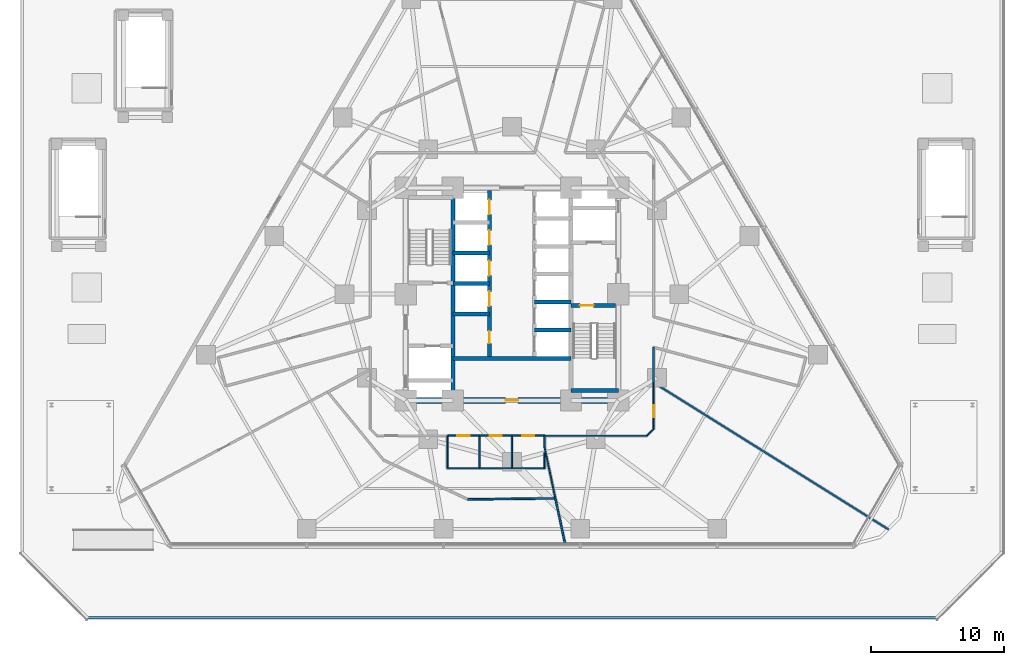
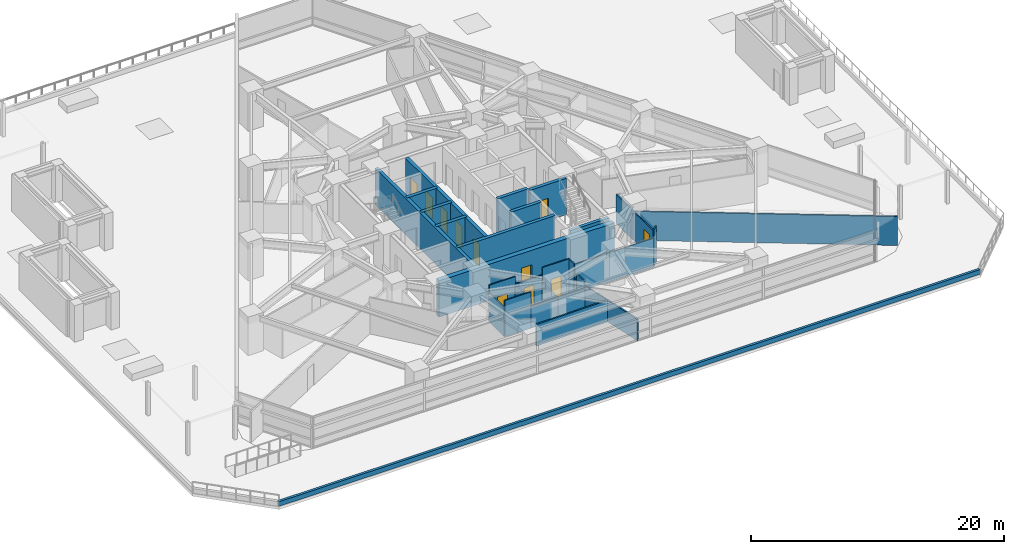
# One storey, part 16 of 23: 31 walls, 11 doors, 11 openings.
"""IFC4 building model written with IfcOpenShell, lengths in metres."""

import ifcopenshell
import ifcopenshell.guid

model = None  # the IFC model being written
_history = None  # IfcOwnerHistory: only IFC2X3 demands one
_inside = {}  # id of a spatial element -> (the spatial element, [elements in it])
_under = {}  # id of a project, library or spatial element -> (it, [spatial elements below it])
_declared = {}  # id of a project -> (the project, [libraries it declares])
_typed = {}  # id of a type object -> (the type object, [elements of that type])
_made_of = {}  # id of a material, layer set ... -> (it, [elements and type objects made of it])


def new_model(schema):
    """Start an empty IFC model of exactly this schema.

    Asked for "IFC4X3", IfcOpenShell would pick the latest addendum, in which some entities
    have other attributes; the version numbers below select the first issue.
    IFC2X3 requires an IfcOwnerHistory on every rooted entity: one is made here for all.
    """
    global model, _history
    if schema == "IFC4X3":
        model = ifcopenshell.file(schema_version=(4, 3, 0, 0))
    else:
        model = ifcopenshell.file(schema=schema)
    _inside.clear()
    _under.clear()
    _declared.clear()
    _typed.clear()
    _made_of.clear()
    _history = None
    if model.schema == "IFC2X3":
        org = make("IfcOrganization", Name="unknown")
        user = make(
            "IfcPersonAndOrganization",
            ThePerson=make("IfcPerson", FamilyName="unknown"),
            TheOrganization=org,
        )
        app = make(
            "IfcApplication",
            ApplicationDeveloper=org,
            Version="unknown",
            ApplicationFullName="unknown",
            ApplicationIdentifier="unknown",
        )
        _history = make(
            "IfcOwnerHistory",
            OwningUser=user,
            OwningApplication=app,
            ChangeAction="ADDED",
            CreationDate=0,
        )
    return model


def make(cls, **values):
    """One entity of the class cls with the attributes given. An attribute that is None is left unset."""
    return model.create_entity(
        cls, **{name: value for name, value in values.items() if value is not None}
    )


def rooted(cls, **values):
    """An entity with a GlobalId (a new one), such as an element, a storey or a relation."""
    return make(cls, GlobalId=ifcopenshell.guid.new(), OwnerHistory=_history, **values)


def si_unit(unit_type, name, prefix=None):
    """IfcSIUnit, for example si_unit("LENGTHUNIT", "METRE", prefix="MILLI")."""
    return make("IfcSIUnit", UnitType=unit_type, Prefix=prefix, Name=name)


def assignment(units):
    """IfcUnitAssignment: the units of a project."""
    return None if units is None else make("IfcUnitAssignment", Units=units)


def point(xyz):
    """IfcCartesianPoint."""
    return None if xyz is None else make("IfcCartesianPoint", Coordinates=xyz)


def direction(xyz):
    """IfcDirection."""
    return None if xyz is None else make("IfcDirection", DirectionRatios=xyz)


def frame(location, z_axis=None, x_axis=None):
    """IfcAxis2Placement3D, a coordinate frame: its origin and axes. An axis left out is left unset."""
    return make(
        "IfcAxis2Placement3D",
        Location=point(location),
        Axis=direction(z_axis),
        RefDirection=direction(x_axis),
    )


def frame_2d(location, x_axis=None):
    """IfcAxis2Placement2D, a coordinate frame in the plane: its origin and x axis."""
    return make(
        "IfcAxis2Placement2D", Location=point(location), RefDirection=direction(x_axis)
    )


def origin():
    """The frame at (0, 0, 0) with its axes left unset."""
    return frame((0.0, 0.0, 0.0))


def place(relative_to, where):
    """IfcLocalPlacement: puts the frame where relative to a parent placement (None: the world)."""
    return make(
        "IfcLocalPlacement", PlacementRelTo=relative_to, RelativePlacement=where
    )


def context(
    kind, dimensions, precision=None, world=None, true_north=None, identifier=None
):
    """IfcGeometricRepresentationContext, for example the 3D "Model" context."""
    return make(
        "IfcGeometricRepresentationContext",
        ContextIdentifier=identifier,
        ContextType=kind,
        CoordinateSpaceDimension=dimensions,
        Precision=precision,
        WorldCoordinateSystem=world,
        TrueNorth=true_north,
    )


def subcontext(parent, identifier, kind, view, scale=None):
    """IfcGeometricRepresentationSubContext, for example "Body" below "Model"."""
    return make(
        "IfcGeometricRepresentationSubContext",
        ContextIdentifier=identifier,
        ContextType=kind,
        ParentContext=parent,
        TargetScale=scale,
        TargetView=view,
    )


def project(units=None, contexts=None):
    """IfcProject with its units and contexts."""
    return rooted(
        "IfcProject",
        Name="project",
        RepresentationContexts=contexts,
        UnitsInContext=assignment(units),
    )


def spatial(cls, under=None, at=None, **own):
    """A site, building, storey or space (cls), placed at a placement, below another one or the project."""
    s = rooted(cls, ObjectPlacement=at, **own)
    if under is not None:
        _under.setdefault(under.id(), (under, []))[1].append(s)
    return s


def profile(cls, at=None, kind="AREA", **sizes):
    """A parametric profile (cls). Its sizes go by their IFC names, for example OverallWidth=200.0."""
    return make(cls, ProfileType=kind, Position=at, **sizes)


def rectangle(**sizes):
    """IfcRectangleProfileDef."""
    return profile("IfcRectangleProfileDef", **sizes)


def extrude(swept, where, along, depth):
    """IfcExtrudedAreaSolid: the profile swept, set in the frame where, extruded along a direction by depth."""
    return make(
        "IfcExtrudedAreaSolid",
        SweptArea=swept,
        Position=where,
        ExtrudedDirection=direction(along),
        Depth=depth,
    )


def shape(context_of_items, identifier, shape_type, items):
    """IfcShapeRepresentation: the items that make up one representation, for example the "Body"."""
    return make(
        "IfcShapeRepresentation",
        ContextOfItems=context_of_items,
        RepresentationIdentifier=identifier,
        RepresentationType=shape_type,
        Items=items,
    )


def material(Name=None, Category=None):
    """IfcMaterial."""
    return make("IfcMaterial", Name=Name, Category=Category)


def layer(
    of_material, thickness, ventilated=None, Name=None, Category=None, Priority=None
):
    """IfcMaterialLayer: one layer of a wall or slab, of a material (None: an air gap)."""
    return make(
        "IfcMaterialLayer",
        Material=of_material,
        LayerThickness=thickness,
        IsVentilated=ventilated,
        Name=Name,
        Category=Category,
        Priority=Priority,
    )


def layer_set(layers, Name=None):
    """IfcMaterialLayerSet."""
    return make("IfcMaterialLayerSet", MaterialLayers=layers, LayerSetName=Name)


def made_of(thing, what):
    """Note that an element or type object is made of a material, layer set ...; save() writes the relation."""
    if what is not None:
        _made_of.setdefault(what.id(), (what, []))[1].append(thing)
    return thing


def type_object(cls, material=None, **own):
    """A type object (cls), such as IfcWallType, which elements share."""
    return made_of(rooted(cls, **own), material)


def element(
    cls,
    number,
    at=None,
    inside=None,
    cuts=None,
    type_object=None,
    material=None,
    context=None,
    identifier="Body",
    shape_type=None,
    held_by="IfcProductDefinitionShape",
    body=None,
    shapes=None,
    **own,
):
    """One element of the class cls, such as IfcWall. Its Tag is "e" and its number.

    at: its placement. inside: the storey or other place that contains it. cuts: it is an
    opening in that element (IfcRelVoidsElement). A single representation is given by context,
    identifier, shape_type and body (its items); several are given by shapes. held_by: the class
    of the entity that holds the representations. save() writes the other relations.
    """
    e = rooted(cls, Tag="e%d" % number, ObjectPlacement=at, **own)
    if body is not None:
        shapes = [shape(context, identifier, shape_type, body)]
    if shapes is not None:
        e.Representation = make(held_by, Representations=shapes)
    if inside is not None:
        _inside.setdefault(inside.id(), (inside, []))[1].append(e)
    if cuts is not None:
        rooted(
            "IfcRelVoidsElement", RelatingBuildingElement=cuts, RelatedOpeningElement=e
        )
    if type_object is not None:
        _typed.setdefault(type_object.id(), (type_object, []))[1].append(e)
    return made_of(e, material)


def fill(opening, filler):
    """IfcRelFillsElement: the door or window that sits in an opening."""
    return rooted(
        "IfcRelFillsElement",
        RelatingOpeningElement=opening,
        RelatedBuildingElement=filler,
    )


def aggregate(whole, parts):
    """IfcRelAggregates: a whole, such as a stair, and the parts it consists of."""
    return rooted("IfcRelAggregates", RelatingObject=whole, RelatedObjects=parts)


def save(model, path):
    """Write the relations noted so far, then the file.

    IfcRelAggregates (storeys below a building ...), IfcRelContainedInSpatialStructure (elements
    in a storey), IfcRelDefinesByType, IfcRelAssociatesMaterial and IfcRelDeclares: one each for
    every whole, place, type object, material and project.
    """
    for whole, parts in _under.values():
        aggregate(whole, parts)
    for where, things in _inside.values():
        rooted(
            "IfcRelContainedInSpatialStructure",
            RelatedElements=things,
            RelatingStructure=where,
        )
    for kind, things in _typed.values():
        rooted("IfcRelDefinesByType", RelatedObjects=things, RelatingType=kind)
    for what, things in _made_of.values():
        rooted("IfcRelAssociatesMaterial", RelatedObjects=things, RelatingMaterial=what)
    for by, libraries in _declared.values():
        rooted("IfcRelDeclares", RelatingContext=by, RelatedDefinitions=libraries)
    model.write(path)


model = new_model("IFC4")

# Units and contexts
model_context = context("Model", 3, precision=1e-05, world=origin(), true_north=direction((0.0, 1.0)))
body_context = subcontext(model_context, "Body", "Model", "MODEL_VIEW")
ifc_project = project(units=[si_unit("LENGTHUNIT", "METRE"), si_unit("AREAUNIT", "SQUARE_METRE"), si_unit("VOLUMEUNIT", "CUBIC_METRE"), si_unit("PLANEANGLEUNIT", "RADIAN"), si_unit("MASSUNIT", "GRAM", prefix="KILO")], contexts=[model_context])

# Site, building, storey
site_placement = place(None, origin())
site = spatial("IfcSite", under=ifc_project, at=site_placement, CompositionType="ELEMENT")
building_placement = place(site_placement, origin())
building = spatial("IfcBuilding", under=site, at=building_placement, Name="Terralouvre Media Tower", CompositionType="ELEMENT")
storey_placement = place(building_placement, frame((0.0, 0.0, 26.0)))
storey = spatial("IfcBuildingStorey", under=building, at=storey_placement, Name="L05", CompositionType="ELEMENT", Elevation=26.0)

# Wall
ifc_material_1 = material(Name="Concrete C50/60", Category="concrete")
ifc_layer_1 = layer(ifc_material_1, 0.300048828125, Name="Core Internal Shaft Wall CW-300")
ifc_layer_set_1 = layer_set([ifc_layer_1], Name="Concrete C50/60")
wall_type_1 = type_object("IfcWallType", Name="Core Internal Shaft Wall CW-300", PredefinedType="SHEAR", material=ifc_layer_set_1)
wall_1_placement = place(storey_placement, frame((-4.449951171875, -7.7900390625, 0.0), z_axis=(0.0, 0.0, 1.0), x_axis=(0.0, 1.0, 0.0)))
element("IfcWall", 1, at=wall_1_placement, inside=storey, type_object=wall_type_1, Name="L05 Core Shaft Wall SPW", PredefinedType="SHEAR", context=body_context, shape_type="SweptSolid", body=[
    extrude(rectangle(XDim=15.580078125, YDim=0.300048828125, at=frame_2d((7.7900390625, 0.0))), origin(), (0.0, 0.0, 1.0), 3.5),
])

# Wall, opening, door
wall_2_placement = place(storey_placement, frame((4.449951171875, -0.85009765625, 0.0), z_axis=(0.0, 0.0, 1.0), x_axis=(1.0, 0.0, 0.0)))
wall_2 = element("IfcWall", 2, at=wall_2_placement, inside=storey, type_object=wall_type_1, Name="L05 Core Shaft Wall ST2D", PredefinedType="SHEAR", context=body_context, shape_type="SweptSolid", body=[
    extrude(rectangle(XDim=3.340087890625, YDim=0.300048828125, at=frame_2d((1.669921875, 0.0))), origin(), (0.0, 0.0, 1.0), 3.5),
])
opening_1_placement = place(wall_2_placement, frame((0.64990234375, 0.0, 0.0)))
opening_1 = element("IfcOpeningElement", 3, at=opening_1_placement, cuts=wall_2, Name="Opening FD-01-105X215", PredefinedType="OPENING", context=body_context, shape_type="SweptSolid", body=[
    extrude(rectangle(XDim=1.050048828125, YDim=2.14990234375, at=frame_2d((0.52490234375, 1.074951171875))), frame((0.0, 0.159912109375, 0.0), z_axis=(0.0, -1.0, 0.0), x_axis=(1.0, 0.0, 0.0)), (0.0, 0.0, 1.0), 0.320068359375),
])
ifc_material_2 = material(Name="Galvanised steel fire-resisting leaf", Category="steel")
door_type_1 = type_object("IfcDoorType", Name="Stair and Firefighting Lobby Fire Door FD-01 (1050x2150)", OperationType="NOTDEFINED", PredefinedType="DOOR", material=ifc_material_2)
door_1_placement = place(opening_1_placement, origin())
door_1 = element("IfcDoor", 4, at=door_1_placement, inside=storey, type_object=door_type_1, Name="L05 ST-02 Exit Stair Door", OperationType="SINGLE_SWING_RIGHT", OverallHeight=2.14990234375, OverallWidth=1.050048828125, PredefinedType="DOOR", context=body_context, shape_type="SweptSolid", body=[
    extrude(rectangle(XDim=1.050048828125, YDim=2.14990234375, at=frame_2d((0.52490234375, 1.074951171875))), frame((0.0, 0.02490234375, 0.0), z_axis=(0.0, -1.0, 0.0), x_axis=(1.0, 0.0, 0.0)), (0.0, 0.0, 1.0), 0.050048828125),
])
fill(opening_1, door_1)

# Walls
wall_3_placement = place(storey_placement, frame((4.449951171875, -7.260009765625, 0.0), z_axis=(0.0, 0.0, 1.0), x_axis=(1.0, 0.0, 0.0)))
element("IfcWall", 5, at=wall_3_placement, inside=storey, type_object=wall_type_1, Name="L05 Core Shaft Wall ST2F", PredefinedType="SHEAR", context=body_context, shape_type="SweptSolid", body=[
    extrude(rectangle(XDim=3.550048828125, YDim=0.300048828125, at=frame_2d((1.77490234375, 0.0))), origin(), (0.0, 0.0, 1.0), 3.5),
])
wall_4_placement = place(storey_placement, frame((-4.449951171875, -4.85009765625, 0.0), z_axis=(0.0, 0.0, 1.0), x_axis=(1.0, 0.0, 0.0)))
element("IfcWall", 6, at=wall_4_placement, inside=storey, type_object=wall_type_1, Name="L05 Core Shaft Wall CSBN", PredefinedType="SHEAR", context=body_context, shape_type="SweptSolid", body=[
    extrude(rectangle(XDim=8.89990234375, YDim=0.300048828125, at=frame_2d((4.449951171875, 0.0))), origin(), (0.0, 0.0, 1.0), 3.5),
])

# Wall, openings, doors
wall_5_placement = place(storey_placement, frame((-1.679931640625, -4.85009765625, 0.0), z_axis=(0.0, 0.0, 1.0), x_axis=(0.0, 1.0, 0.0)))
wall_5 = element("IfcWall", 7, at=wall_5_placement, inside=storey, type_object=wall_type_1, Name="L05 Core Shaft Wall LBW", PredefinedType="SHEAR", context=body_context, shape_type="SweptSolid", body=[
    extrude(rectangle(XDim=12.64013671875, YDim=0.300048828125, at=frame_2d((6.320068359375, 0.0))), origin(), (0.0, 0.0, 1.0), 3.5),
])
opening_2_placement = place(wall_5_placement, frame((3.949951171875, 0.0, 0.0)))
opening_2 = element("IfcOpeningElement", 8, at=opening_2_placement, cuts=wall_5, Name="Opening LD-PL", PredefinedType="OPENING", context=body_context, shape_type="SweptSolid", body=[
    extrude(rectangle(XDim=1.10009765625, YDim=2.10009765625, at=frame_2d((0.550048828125, 1.050048828125))), frame((0.0, 0.159912109375, 0.0), z_axis=(0.0, -1.0, 0.0), x_axis=(1.0, 0.0, 0.0)), (0.0, 0.0, 1.0), 0.320068359375),
])
opening_3_placement = place(wall_5_placement, frame((6.25, 0.0, 0.0)))
opening_3 = element("IfcOpeningElement", 9, at=opening_3_placement, cuts=wall_5, Name="Opening LD-PL", PredefinedType="OPENING", context=body_context, shape_type="SweptSolid", body=[
    extrude(rectangle(XDim=1.10009765625, YDim=2.10009765625, at=frame_2d((0.550048828125, 1.050048828125))), frame((0.0, 0.159912109375, 0.0), z_axis=(0.0, -1.0, 0.0), x_axis=(1.0, 0.0, 0.0)), (0.0, 0.0, 1.0), 0.320068359375),
])
opening_4_placement = place(wall_5_placement, frame((8.550048828125, 0.0, 0.0)))
opening_4 = element("IfcOpeningElement", 10, at=opening_4_placement, cuts=wall_5, Name="Opening LD-PL", PredefinedType="OPENING", context=body_context, shape_type="SweptSolid", body=[
    extrude(rectangle(XDim=1.10009765625, YDim=2.10009765625, at=frame_2d((0.550048828125, 1.050048828125))), frame((0.0, 0.159912109375, 0.0), z_axis=(0.0, -1.0, 0.0), x_axis=(1.0, 0.0, 0.0)), (0.0, 0.0, 1.0), 0.320068359375),
])
opening_5_placement = place(wall_5_placement, frame((10.85009765625, 0.0, 0.0)))
opening_5 = element("IfcOpeningElement", 11, at=opening_5_placement, cuts=wall_5, Name="Opening LD-PL", PredefinedType="OPENING", context=body_context, shape_type="SweptSolid", body=[
    extrude(rectangle(XDim=1.10009765625, YDim=2.10009765625, at=frame_2d((0.550048828125, 1.050048828125))), frame((0.0, 0.159912109375, 0.0), z_axis=(0.0, -1.0, 0.0), x_axis=(1.0, 0.0, 0.0)), (0.0, 0.0, 1.0), 0.320068359375),
])
opening_6_placement = place(wall_5_placement, frame((1.14990234375, 0.0, 0.0)))
opening_6 = element("IfcOpeningElement", 12, at=opening_6_placement, cuts=wall_5, Name="Opening FD-05-92X210", PredefinedType="OPENING", context=body_context, shape_type="SweptSolid", body=[
    extrude(rectangle(XDim=0.919921875, YDim=2.10009765625, at=frame_2d((0.4599609375, 1.050048828125))), frame((0.0, 0.159912109375, 0.0), z_axis=(0.0, -1.0, 0.0), x_axis=(1.0, 0.0, 0.0)), (0.0, 0.0, 1.0), 0.320068359375),
])
ifc_material_3 = material(Name="Galvanised steel fire-resisting leaf", Category="steel")
door_type_2 = type_object("IfcDoorType", Name="Core Accessible Closet Fire Door FD-05 (920x2100)", OperationType="NOTDEFINED", PredefinedType="DOOR", material=ifc_material_3)
door_2_placement = place(opening_6_placement, origin())
door_2 = element("IfcDoor", 13, at=door_2_placement, inside=storey, type_object=door_type_2, Name="L05 Core Cleaners Closet Door", OperationType="SINGLE_SWING_LEFT", OverallHeight=2.10009765625, OverallWidth=0.919921875, PredefinedType="DOOR", context=body_context, shape_type="SweptSolid", body=[
    extrude(rectangle(XDim=0.919921875, YDim=2.10009765625, at=frame_2d((0.4599609375, 1.050048828125))), frame((0.0, 0.02490234375, 0.0), z_axis=(0.0, -1.0, 0.0), x_axis=(1.0, 0.0, 0.0)), (0.0, 0.0, 1.0), 0.050048828125),
])
fill(opening_6, door_2)
ifc_material_4 = material(Name="Stainless steel 316 handrail and balustrade", Category="steel")
door_type_3 = type_object("IfcDoorType", Name="Passenger Lift Sliding Landing Door LD-PL", OperationType="SLIDING_TO_LEFT", PredefinedType="DOOR", material=ifc_material_4)
door_3_placement = place(opening_2_placement, origin())
door_3 = element("IfcDoor", 14, at=door_3_placement, inside=storey, type_object=door_type_3, Name="L05 Low-Rise Lift PL-L1 Landing Door", OperationType="SLIDING_TO_LEFT", OverallHeight=2.10009765625, OverallWidth=1.10009765625, PredefinedType="DOOR", context=body_context, shape_type="SweptSolid", body=[
    extrude(rectangle(XDim=1.10009765625, YDim=2.10009765625, at=frame_2d((0.550048828125, 1.050048828125))), frame((0.0, 0.02490234375, 0.0), z_axis=(0.0, -1.0, 0.0), x_axis=(1.0, 0.0, 0.0)), (0.0, 0.0, 1.0), 0.050048828125),
])
fill(opening_2, door_3)
door_4_placement = place(opening_3_placement, origin())
door_4 = element("IfcDoor", 15, at=door_4_placement, inside=storey, type_object=door_type_3, Name="L05 Low-Rise Lift PL-L2 Landing Door", OperationType="SLIDING_TO_LEFT", OverallHeight=2.10009765625, OverallWidth=1.10009765625, PredefinedType="DOOR", context=body_context, shape_type="SweptSolid", body=[
    extrude(rectangle(XDim=1.10009765625, YDim=2.10009765625, at=frame_2d((0.550048828125, 1.050048828125))), frame((0.0, 0.02490234375, 0.0), z_axis=(0.0, -1.0, 0.0), x_axis=(1.0, 0.0, 0.0)), (0.0, 0.0, 1.0), 0.050048828125),
])
fill(opening_3, door_4)
door_5_placement = place(opening_4_placement, origin())
door_5 = element("IfcDoor", 16, at=door_5_placement, inside=storey, type_object=door_type_3, Name="L05 Low-Rise Lift PL-L3 Landing Door", OperationType="SLIDING_TO_LEFT", OverallHeight=2.10009765625, OverallWidth=1.10009765625, PredefinedType="DOOR", context=body_context, shape_type="SweptSolid", body=[
    extrude(rectangle(XDim=1.10009765625, YDim=2.10009765625, at=frame_2d((0.550048828125, 1.050048828125))), frame((0.0, 0.02490234375, 0.0), z_axis=(0.0, -1.0, 0.0), x_axis=(1.0, 0.0, 0.0)), (0.0, 0.0, 1.0), 0.050048828125),
])
fill(opening_4, door_5)
door_6_placement = place(opening_5_placement, origin())
door_6 = element("IfcDoor", 17, at=door_6_placement, inside=storey, type_object=door_type_3, Name="L05 Low-Rise Lift PL-L4 Landing Door", OperationType="SLIDING_TO_LEFT", OverallHeight=2.10009765625, OverallWidth=1.10009765625, PredefinedType="DOOR", context=body_context, shape_type="SweptSolid", body=[
    extrude(rectangle(XDim=1.10009765625, YDim=2.10009765625, at=frame_2d((0.550048828125, 1.050048828125))), frame((0.0, 0.02490234375, 0.0), z_axis=(0.0, -1.0, 0.0), x_axis=(1.0, 0.0, 0.0)), (0.0, 0.0, 1.0), 0.050048828125),
])
fill(opening_5, door_6)

# Walls
for number, where, z_axis, x_axis, name in (
    (18, (-4.449951171875, -1.5, 0.0), (0.0, 0.0, 1.0), (1.0, 0.0, 0.0), "L05 Core Shaft Wall PLLD0"),
    (19, (-4.449951171875, 0.800048828125, 0.0), (0.0, 0.0, 1.0), (1.0, 0.0, 0.0), "L05 Core Shaft Wall PLLD1"),
    (20, (-4.449951171875, 3.10009765625, 0.0), (0.0, 0.0, 1.0), (1.0, 0.0, 0.0), "L05 Core Shaft Wall PLLD2"),
    (21, (1.679931640625, -2.699951171875, 0.0), (0.0, 0.0, 1.0), (1.0, 0.0, 0.0), "L05 Core Shaft Wall PLHD1"),
    (22, (1.679931640625, -0.60009765625, 0.0), (0.0, 0.0, 1.0), (1.0, 0.0, 0.0), "L05 Core Shaft Wall PLHD2"),
):
    element("IfcWall", number, at=place(storey_placement, frame(where, z_axis=z_axis, x_axis=x_axis)), inside=storey, type_object=wall_type_1, Name=name, PredefinedType="SHEAR", context=body_context, shape_type="SweptSolid", body=[
        extrude(rectangle(XDim=2.77001953125, YDim=0.300048828125, at=frame_2d((1.385009765625, 0.0))), origin(), (0.0, 0.0, 1.0), 3.5),
    ])

# Wall, opening, door
ifc_material_5 = material(Name="Concrete C60/75", Category="concrete")
ifc_layer_2 = layer(ifc_material_5, 0.419921875, Name="Core Reinforced Concrete Shear Wall CW-420")
ifc_layer_set_2 = layer_set([ifc_layer_2], Name="Concrete C60/75")
wall_type_2 = type_object("IfcWallType", Name="Core Reinforced Concrete Shear Wall CW-420", PredefinedType="SHEAR", material=ifc_layer_set_2)
wall_6_placement = place(storey_placement, frame((-8.0, -8.0, 0.0), z_axis=(0.0, 0.0, 1.0), x_axis=(1.0, 0.0, 0.0)))
wall_6 = element("IfcWall", 23, at=wall_6_placement, inside=storey, type_object=wall_type_2, Name="L05 S Core Shear Wall", PredefinedType="SHEAR", context=body_context, shape_type="SweptSolid", body=[
    extrude(rectangle(XDim=16.0, YDim=0.419921875, at=frame_2d((8.0, 0.0))), origin(), (0.0, 0.0, 1.0), 3.5),
])
opening_7_placement = place(wall_6_placement, frame((7.52001953125, 0.0, 0.0)))
opening_7 = element("IfcOpeningElement", 24, at=opening_7_placement, cuts=wall_6, Name="Opening FD-02-95X210", PredefinedType="OPENING", context=body_context, shape_type="SweptSolid", body=[
    extrude(rectangle(XDim=0.949951171875, YDim=2.10009765625, at=frame_2d((0.47509765625, 1.050048828125))), frame((0.0, 0.219970703125, 0.0), z_axis=(0.0, -1.0, 0.0), x_axis=(1.0, 0.0, 0.0)), (0.0, 0.0, 1.0), 0.43994140625),
])
ifc_material_6 = material(Name="Galvanised steel fire-resisting leaf", Category="steel")
door_type_4 = type_object("IfcDoorType", Name="Plant and Riser Fire Door FD-02 (950x2100)", OperationType="NOTDEFINED", PredefinedType="DOOR", material=ifc_material_6)
door_7_placement = place(opening_7_placement, origin())
door_7 = element("IfcDoor", 25, at=door_7_placement, inside=storey, type_object=door_type_4, Name="L05 Core Switchgear Plant Door", OperationType="SINGLE_SWING_LEFT", OverallHeight=2.10009765625, OverallWidth=0.949951171875, PredefinedType="DOOR", context=body_context, shape_type="SweptSolid", body=[
    extrude(rectangle(XDim=0.949951171875, YDim=2.10009765625, at=frame_2d((0.47509765625, 1.050048828125))), frame((0.0, 0.02490234375, 0.0), z_axis=(0.0, -1.0, 0.0), x_axis=(1.0, 0.0, 0.0)), (0.0, 0.0, 1.0), 0.050048828125),
])
fill(opening_7, door_7)

# Walls
ifc_material_7 = material(Name="Low-iron laminated double glazing with solar-control coating", Category="glass")
ifc_layer_3 = layer(ifc_material_7, 0.10009765625, Name="Demountable Glazed Office Partition PT-GL100")
ifc_layer_set_3 = layer_set([ifc_layer_3], Name="Low-iron laminated double glazing with solar-control coating")
wall_type_3 = type_object("IfcWallType", Name="Demountable Glazed Office Partition PT-GL100", PredefinedType="MOVABLE", material=ifc_layer_set_3)
wall_7_placement = place(storey_placement, frame((2.449951171875, -10.64990234375, 0.0), z_axis=(0.0, 0.0, 1.0), x_axis=(1.0, 0.0, 0.0)))
element("IfcWall", 26, at=wall_7_placement, inside=storey, type_object=wall_type_3, Name="L05 Interior Partition 022", PredefinedType="MOVABLE", context=body_context, shape_type="SweptSolid", body=[
    extrude(rectangle(XDim=7.699951171875, YDim=0.10009765625, at=frame_2d((3.85009765625, 0.0))), origin(), (0.0, 0.0, 1.0), 2.784912109375),
])
wall_8_placement = place(storey_placement, frame((10.14990234375, -10.64990234375, 0.0), z_axis=(0.0, 0.0, 1.0), x_axis=(0.707106781187, 0.707106781187, 0.0)))
element("IfcWall", 27, at=wall_8_placement, inside=storey, type_object=wall_type_3, Name="L05 Interior Partition 023", PredefinedType="MOVABLE", context=body_context, shape_type="SweptSolid", body=[
    extrude(rectangle(XDim=0.70703125, YDim=0.10009765625, at=frame_2d((0.353515625, 0.0))), origin(), (0.0, 0.0, 1.0), 3.5),
])

# Wall, opening, door
wall_9_placement = place(storey_placement, frame((10.64990234375, -10.14990234375, 0.0), z_axis=(0.0, 0.0, 1.0), x_axis=(0.0, 1.0, 0.0)))
wall_9 = element("IfcWall", 28, at=wall_9_placement, inside=storey, type_object=wall_type_3, Name="L05 Interior Partition 024", PredefinedType="MOVABLE", context=body_context, shape_type="SweptSolid", body=[
    extrude(rectangle(XDim=3.494873046875, YDim=0.10009765625, at=frame_2d((1.74755859375, 0.0))), origin(), (0.0, 0.0, 1.0), 2.784912109375),
])
opening_8_placement = place(wall_9_placement, frame((0.8681640625, 0.0, 0.0)))
opening_8 = element("IfcOpeningElement", 29, at=opening_8_placement, cuts=wall_9, Name="Opening ID-03-92X210", PredefinedType="OPENING", context=body_context, shape_type="SweptSolid", body=[
    extrude(rectangle(XDim=0.919921875, YDim=2.10009765625, at=frame_2d((0.4599609375, 1.050048828125))), frame((0.0, 0.06005859375, 0.0), z_axis=(0.0, -1.0, 0.0), x_axis=(1.0, 0.0, 0.0)), (0.0, 0.0, 1.0), 0.1201171875),
])
ifc_material_8 = material(Name="Engineered hardwood acoustic timber leaf", Category="wood")
door_type_5 = type_object("IfcDoorType", Name="Accessible Restroom and Suite Door ID-03 (920x2100)", OperationType="NOTDEFINED", PredefinedType="DOOR", material=ifc_material_8)
door_8_placement = place(opening_8_placement, origin())
door_8 = element("IfcDoor", 30, at=door_8_placement, inside=storey, type_object=door_type_5, Name="L05 Editorial Huddle Room 6 Door", OperationType="SINGLE_SWING_LEFT", OverallHeight=2.10009765625, OverallWidth=0.919921875, PredefinedType="DOOR", context=body_context, shape_type="SweptSolid", body=[
    extrude(rectangle(XDim=0.919921875, YDim=2.10009765625, at=frame_2d((0.4599609375, 1.050048828125))), frame((0.0, 0.02490234375, 0.0), z_axis=(0.0, -1.0, 0.0), x_axis=(1.0, 0.0, 0.0)), (0.0, 0.0, 1.0), 0.050048828125),
])
fill(opening_8, door_8)

# Walls
wall_10_placement = place(storey_placement, frame((-2.449951171875, -13.10009765625, 0.0), z_axis=(0.0, 0.0, 1.0), x_axis=(-1.0, 0.0, 0.0)))
element("IfcWall", 31, at=wall_10_placement, inside=storey, type_object=wall_type_3, Name="L05 Interior Partition 046", PredefinedType="MOVABLE", context=body_context, shape_type="SweptSolid", body=[
    extrude(rectangle(XDim=2.400146484375, YDim=0.10009765625, at=frame_2d((1.2001953125, 0.0))), origin(), (0.0, 0.0, 1.0), 3.5),
])
wall_11_placement = place(storey_placement, frame((-4.85009765625, -13.10009765625, 0.0), z_axis=(0.0, 0.0, 1.0), x_axis=(0.0, 1.0, 0.0)))
element("IfcWall", 32, at=wall_11_placement, inside=storey, type_object=wall_type_3, Name="L05 Interior Partition 047", PredefinedType="MOVABLE", context=body_context, shape_type="SweptSolid", body=[
    extrude(rectangle(XDim=2.4501953125, YDim=0.10009765625, at=frame_2d((1.22509765625, 0.0))), origin(), (0.0, 0.0, 1.0), 2.784912109375),
])
wall_12_placement = place(storey_placement, frame((0.0, -13.10009765625, 0.0), z_axis=(0.0, 0.0, 1.0), x_axis=(-1.0, 0.0, 0.0)))
element("IfcWall", 33, at=wall_12_placement, inside=storey, type_object=wall_type_3, Name="L05 Interior Partition 048", PredefinedType="MOVABLE", context=body_context, shape_type="SweptSolid", body=[
    extrude(rectangle(XDim=2.449951171875, YDim=0.10009765625, at=frame_2d((1.22509765625, 0.0))), origin(), (0.0, 0.0, 1.0), 2.0849609375),
])
wall_13_placement = place(storey_placement, frame((2.449951171875, -11.9345703125, 0.0), z_axis=(0.0, 0.0, 1.0), x_axis=(0.0, -1.0, 0.0)))
element("IfcWall", 34, at=wall_13_placement, inside=storey, type_object=wall_type_3, Name="L05 Interior Partition 049", PredefinedType="MOVABLE", context=body_context, shape_type="SweptSolid", body=[
    extrude(rectangle(XDim=1.16552734375, YDim=0.10009765625, at=frame_2d((0.582763671875, 0.0))), origin(), (0.0, 0.0, 1.0), 2.784912109375),
])
wall_14_placement = place(storey_placement, frame((2.449951171875, -13.10009765625, 0.0), z_axis=(0.0, 0.0, 1.0), x_axis=(-1.0, 0.0, 0.0)))
element("IfcWall", 35, at=wall_14_placement, inside=storey, type_object=wall_type_3, Name="L05 Interior Partition 050", PredefinedType="MOVABLE", context=body_context, shape_type="SweptSolid", body=[
    extrude(rectangle(XDim=2.449951171875, YDim=0.10009765625, at=frame_2d((1.22509765625, 0.0))), origin(), (0.0, 0.0, 1.0), 2.0849609375),
])
wall_15_placement = place(storey_placement, frame((3.26708984375, -15.367919921875, 0.0), z_axis=(0.0, 0.0, 1.0), x_axis=(-0.208030469109, 0.978122346091, 0.0)))
element("IfcWall", 36, at=wall_15_placement, inside=storey, type_object=wall_type_3, Name="L05 Interior Partition 051", PredefinedType="MOVABLE", context=body_context, shape_type="SweptSolid", body=[
    extrude(rectangle(XDim=3.927978515625, YDim=0.10009765625, at=frame_2d((1.9638671875, 0.0))), origin(), (0.0, 0.0, 1.0), 2.0849609375),
])
ifc_material_9 = material(Name="Fire-rated gypsum board drywall partition")
ifc_layer_4 = layer(ifc_material_9, 0.135009765625, Name="Newsroom Acoustic Partition PT-135")
ifc_layer_set_4 = layer_set([ifc_layer_4], Name="Fire-rated gypsum board drywall partition")
wall_type_4 = type_object("IfcWallType", Name="Newsroom Acoustic Partition PT-135", PredefinedType="PARTITIONING", material=ifc_layer_set_4)
wall_16_placement = place(storey_placement, frame((10.64990234375, -6.655029296875, 0.0), z_axis=(0.0, 0.0, 1.0), x_axis=(0.0, 1.0, 0.0)))
element("IfcWall", 37, at=wall_16_placement, inside=storey, type_object=wall_type_4, Name="L05 Interior Partition 001", PredefinedType="PARTITIONING", context=body_context, shape_type="SweptSolid", body=[
    extrude(rectangle(XDim=2.6630859375, YDim=0.135009765625, at=frame_2d((1.33154296875, 0.0))), origin(), (0.0, 0.0, 1.0), 2.784912109375),
])
wall_17_placement = place(storey_placement, frame((10.64990234375, -6.655029296875, 0.0), z_axis=(0.0, 0.0, 1.0), x_axis=(0.848052240981, -0.529912631069, 0.0)))
element("IfcWall", 38, at=wall_17_placement, inside=storey, type_object=wall_type_4, Name="L05 Interior Partition 031", PredefinedType="PARTITIONING", context=body_context, shape_type="SweptSolid", body=[
    extrude(rectangle(XDim=20.850341796875, YDim=0.135009765625, at=frame_2d((10.42529296875, 0.0))), origin(), (0.0, 0.0, 1.0), 2.784912109375),
])
wall_18_placement = place(storey_placement, frame((3.26708984375, -15.367919921875, 0.0), z_axis=(0.0, 0.0, 1.0), x_axis=(-0.999931630146, -0.011693375588, 0.0)))
element("IfcWall", 39, at=wall_18_placement, inside=storey, type_object=wall_type_4, Name="L05 Interior Partition 042", PredefinedType="PARTITIONING", context=body_context, shape_type="SweptSolid", body=[
    extrude(rectangle(XDim=6.59765625, YDim=0.135009765625, at=frame_2d((3.298828125, 0.0))), origin(), (0.0, 0.0, 1.0), 2.0849609375),
])
wall_19_placement = place(storey_placement, frame((4.00341796875, -18.8369140625, 0.0), z_axis=(0.0, 0.0, 1.0), x_axis=(-0.207633969896, 0.978206590933, 0.0)))
element("IfcWall", 40, at=wall_19_placement, inside=storey, type_object=wall_type_4, Name="L05 Interior Partition 045", PredefinedType="PARTITIONING", context=body_context, shape_type="SweptSolid", body=[
    extrude(rectangle(XDim=3.54638671875, YDim=0.135009765625, at=frame_2d((1.773193359375, 0.0))), origin(), (0.0, 0.0, 1.0), 2.0849609375),
])

# Wall, opening, door
ifc_material_10 = material(Name="Fire-rated gypsum board drywall partition")
ifc_layer_5 = layer(ifc_material_10, 0.114990234375, Name="Restroom and Pantry Partition PT-115")
ifc_layer_set_5 = layer_set([ifc_layer_5], Name="Fire-rated gypsum board drywall partition")
wall_type_5 = type_object("IfcWallType", Name="Restroom and Pantry Partition PT-115", PredefinedType="PARTITIONING", material=ifc_layer_set_5)
wall_20_placement = place(storey_placement, frame((-4.85009765625, -10.64990234375, 0.0), z_axis=(0.0, 0.0, 1.0), x_axis=(1.0, 0.0, 0.0)))
wall_20 = element("IfcWall", 41, at=wall_20_placement, inside=storey, type_object=wall_type_5, Name="L05 Interior Partition 019", PredefinedType="PARTITIONING", context=body_context, shape_type="SweptSolid", body=[
    extrude(rectangle(XDim=2.400146484375, YDim=0.114990234375, at=frame_2d((1.2001953125, 0.0))), origin(), (0.0, 0.0, 1.0), 3.5),
])
opening_9_placement = place(wall_20_placement, frame((0.739990234375, 0.0, 0.0)))
opening_9 = element("IfcOpeningElement", 42, at=opening_9_placement, cuts=wall_20, Name="Opening ID-03-92X210", PredefinedType="OPENING", context=body_context, shape_type="SweptSolid", body=[
    extrude(rectangle(XDim=0.919921875, YDim=2.10009765625, at=frame_2d((0.4599609375, 1.050048828125))), frame((0.0, 0.0673828125, 0.0), z_axis=(0.0, -1.0, 0.0), x_axis=(1.0, 0.0, 0.0)), (0.0, 0.0, 1.0), 0.135009765625),
])
door_9_placement = place(opening_9_placement, origin())
door_9 = element("IfcDoor", 43, at=door_9_placement, inside=storey, type_object=door_type_5, Name="L05 Male Restroom WC Door", OperationType="SINGLE_SWING_RIGHT", OverallHeight=2.10009765625, OverallWidth=0.919921875, PredefinedType="DOOR", context=body_context, shape_type="SweptSolid", body=[
    extrude(rectangle(XDim=0.919921875, YDim=2.10009765625, at=frame_2d((0.4599609375, 1.050048828125))), frame((0.0, 0.02490234375, 0.0), z_axis=(0.0, -1.0, 0.0), x_axis=(1.0, 0.0, 0.0)), (0.0, 0.0, 1.0), 0.050048828125),
])
fill(opening_9, door_9)

wall_21_placement = place(storey_placement, frame((-2.449951171875, -10.64990234375, 0.0), z_axis=(0.0, 0.0, 1.0), x_axis=(1.0, 0.0, 0.0)))
wall_21 = element("IfcWall", 44, at=wall_21_placement, inside=storey, type_object=wall_type_5, Name="L05 Interior Partition 020", PredefinedType="PARTITIONING", context=body_context, shape_type="SweptSolid", body=[
    extrude(rectangle(XDim=2.449951171875, YDim=0.114990234375, at=frame_2d((1.22509765625, 0.0))), origin(), (0.0, 0.0, 1.0), 2.784912109375),
])
opening_10_placement = place(wall_21_placement, frame((0.764892578125, 0.0, 0.0)))
opening_10 = element("IfcOpeningElement", 45, at=opening_10_placement, cuts=wall_21, Name="Opening ID-03-92X210", PredefinedType="OPENING", context=body_context, shape_type="SweptSolid", body=[
    extrude(rectangle(XDim=0.919921875, YDim=2.10009765625, at=frame_2d((0.4599609375, 1.050048828125))), frame((0.0, 0.0673828125, 0.0), z_axis=(0.0, -1.0, 0.0), x_axis=(1.0, 0.0, 0.0)), (0.0, 0.0, 1.0), 0.135009765625),
])
door_10_placement = place(opening_10_placement, origin())
door_10 = element("IfcDoor", 46, at=door_10_placement, inside=storey, type_object=door_type_5, Name="L05 Female Restroom WC Door", OperationType="SINGLE_SWING_LEFT", OverallHeight=2.10009765625, OverallWidth=0.919921875, PredefinedType="DOOR", context=body_context, shape_type="SweptSolid", body=[
    extrude(rectangle(XDim=0.919921875, YDim=2.10009765625, at=frame_2d((0.4599609375, 1.050048828125))), frame((0.0, 0.02490234375, 0.0), z_axis=(0.0, -1.0, 0.0), x_axis=(1.0, 0.0, 0.0)), (0.0, 0.0, 1.0), 0.050048828125),
])
fill(opening_10, door_10)

wall_22_placement = place(storey_placement, frame((0.0, -10.64990234375, 0.0), z_axis=(0.0, 0.0, 1.0), x_axis=(1.0, 0.0, 0.0)))
wall_22 = element("IfcWall", 47, at=wall_22_placement, inside=storey, type_object=wall_type_5, Name="L05 Interior Partition 021", PredefinedType="PARTITIONING", context=body_context, shape_type="SweptSolid", body=[
    extrude(rectangle(XDim=2.449951171875, YDim=0.114990234375, at=frame_2d((1.22509765625, 0.0))), origin(), (0.0, 0.0, 1.0), 3.5),
])
opening_11_placement = place(wall_22_placement, frame((0.764892578125, 0.0, 0.0)))
opening_11 = element("IfcOpeningElement", 48, at=opening_11_placement, cuts=wall_22, Name="Opening ID-03-92X210", PredefinedType="OPENING", context=body_context, shape_type="SweptSolid", body=[
    extrude(rectangle(XDim=0.919921875, YDim=2.10009765625, at=frame_2d((0.4599609375, 1.050048828125))), frame((0.0, 0.0673828125, 0.0), z_axis=(0.0, -1.0, 0.0), x_axis=(1.0, 0.0, 0.0)), (0.0, 0.0, 1.0), 0.135009765625),
])
door_11_placement = place(opening_11_placement, origin())
door_11 = element("IfcDoor", 49, at=door_11_placement, inside=storey, type_object=door_type_5, Name="L05 Accessible Unisex WC Door", OperationType="SINGLE_SWING_RIGHT", OverallHeight=2.10009765625, OverallWidth=0.919921875, PredefinedType="DOOR", context=body_context, shape_type="SweptSolid", body=[
    extrude(rectangle(XDim=0.919921875, YDim=2.10009765625, at=frame_2d((0.4599609375, 1.050048828125))), frame((0.0, 0.02490234375, 0.0), z_axis=(0.0, -1.0, 0.0), x_axis=(1.0, 0.0, 0.0)), (0.0, 0.0, 1.0), 0.050048828125),
])
fill(opening_11, door_11)

# Walls
wall_23_placement = place(storey_placement, frame((-2.449951171875, -13.10009765625, 0.0), z_axis=(0.0, 0.0, 1.0), x_axis=(0.0, 1.0, 0.0)))
element("IfcWall", 50, at=wall_23_placement, inside=storey, type_object=wall_type_5, Name="L05 Interior Partition 052", PredefinedType="PARTITIONING", context=body_context, shape_type="SweptSolid", body=[
    extrude(rectangle(XDim=2.4501953125, YDim=0.114990234375, at=frame_2d((1.22509765625, 0.0))), origin(), (0.0, 0.0, 1.0), 2.784912109375),
])
wall_24_placement = place(storey_placement, frame((0.0, -13.10009765625, 0.0), z_axis=(0.0, 0.0, 1.0), x_axis=(0.0, 1.0, 0.0)))
element("IfcWall", 51, at=wall_24_placement, inside=storey, type_object=wall_type_5, Name="L05 Interior Partition 053", PredefinedType="PARTITIONING", context=body_context, shape_type="SweptSolid", body=[
    extrude(rectangle(XDim=2.4501953125, YDim=0.114990234375, at=frame_2d((1.22509765625, 0.0))), origin(), (0.0, 0.0, 1.0), 2.0849609375),
])
wall_25_placement = place(storey_placement, frame((2.449951171875, -11.52587890625, 0.0), z_axis=(0.0, 0.0, 1.0), x_axis=(0.0, 1.0, 0.0)))
element("IfcWall", 52, at=wall_25_placement, inside=storey, type_object=wall_type_5, Name="L05 Interior Partition 054", PredefinedType="PARTITIONING", context=body_context, shape_type="SweptSolid", body=[
    extrude(rectangle(XDim=0.8759765625, YDim=0.114990234375, at=frame_2d((0.43798828125, 0.0))), origin(), (0.0, 0.0, 1.0), 3.5),
])
ifc_material_11 = material(Name="Kiln-fired architectural terracotta rainscreen cladding", Category="masonry")
ifc_layer_6 = layer(ifc_material_11, 0.219970703125, Name="Terracotta Parapet Upstand Wall PW-220")
ifc_layer_set_6 = layer_set([ifc_layer_6], Name="Kiln-fired architectural terracotta rainscreen cladding")
wall_type_6 = type_object("IfcWallType", Name="Terracotta Parapet Upstand Wall PW-220", PredefinedType="PARAPET", material=ifc_layer_set_6)
wall_26_placement = place(storey_placement, frame((-32.0, -24.35009765625, 0.0), z_axis=(0.0, 0.0, 1.0), x_axis=(1.0, 0.0, 0.0)))
element("IfcWall", 53, at=wall_26_placement, inside=storey, type_object=wall_type_6, Name="L05 Raised Garden Parapet 01", PredefinedType="PARAPET", context=body_context, shape_type="SweptSolid", body=[
    extrude(rectangle(XDim=64.0, YDim=0.219970703125, at=frame_2d((32.0, 0.0))), origin(), (0.0, 0.0, 1.0), 0.449951171875),
])

save(model, "model.ifc")
